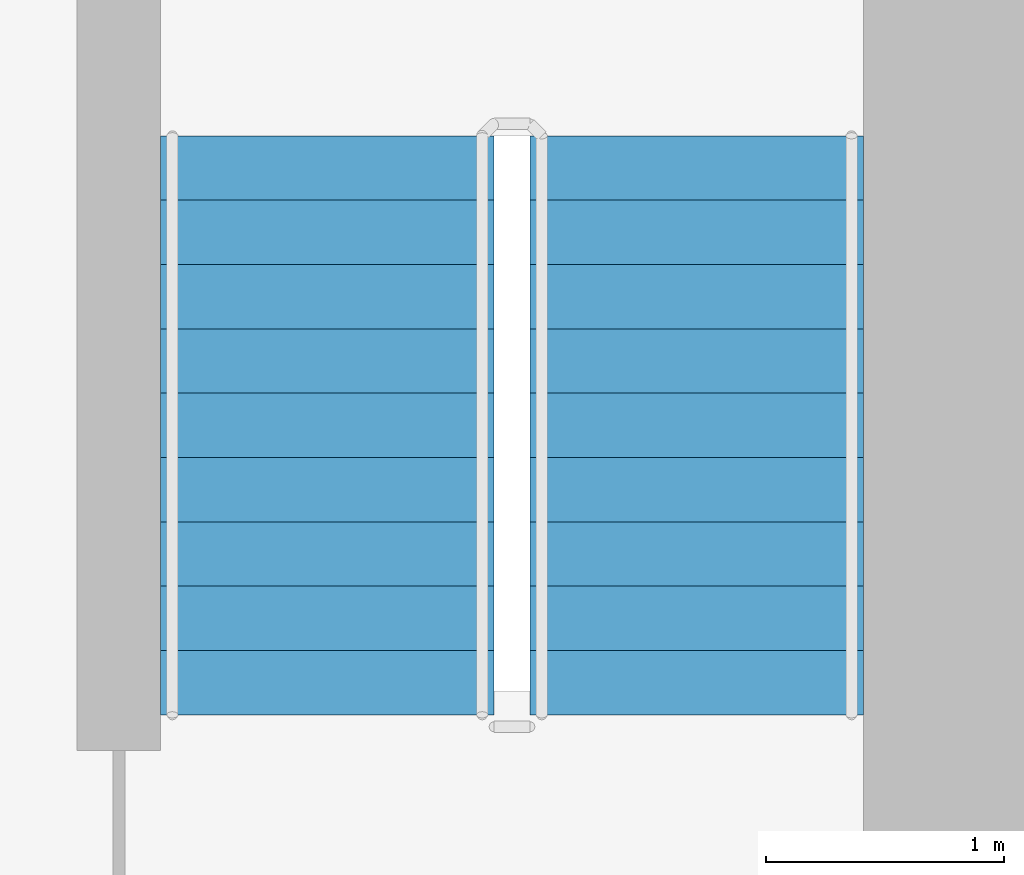
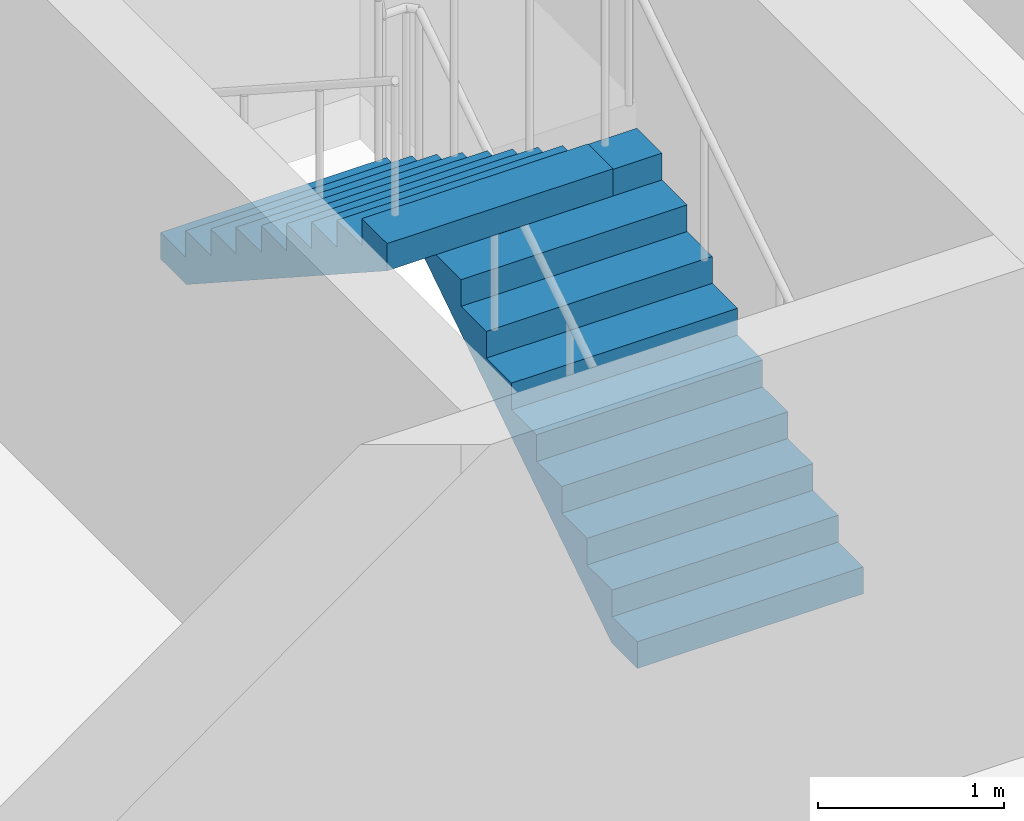
# One storey, part 13 of 17: 2 stair flights, 1 element without a shape of its own.
"""IFC4 building model written with IfcOpenShell, lengths in metres."""

from ifc_helpers import new_model, si_unit, direction, frame, origin, place, context, subcontext, project, spatial, polyline, outline, extrude, material, layer, layer_set, type_object, element, aggregate, save


model = new_model("IFC4")

# Units and contexts
model_context = context("Model", 3, precision=1e-05, world=origin(), true_north=direction((0.0, 1.0)))
body_context = subcontext(model_context, "Body", "Model", "MODEL_VIEW")
ifc_project = project(units=[si_unit("LENGTHUNIT", "METRE"), si_unit("AREAUNIT", "SQUARE_METRE"), si_unit("VOLUMEUNIT", "CUBIC_METRE"), si_unit("PLANEANGLEUNIT", "RADIAN"), si_unit("MASSUNIT", "GRAM", prefix="KILO")], contexts=[model_context])

# Site, building, storey
site_placement = place(None, origin())
site = spatial("IfcSite", under=ifc_project, at=site_placement, CompositionType="ELEMENT")
building_placement = place(site_placement, origin())
building = spatial("IfcBuilding", under=site, at=building_placement, Name="Saffron Iwan Residences", CompositionType="ELEMENT")
storey_placement = place(building_placement, frame((0.0, 0.0, 113.0)))
storey = spatial("IfcBuildingStorey", under=building, at=storey_placement, Name="L29", CompositionType="ELEMENT", Elevation=113.0)

# Stair, stair flights
ifc_material = material(Name="Concrete C50/60", Category="concrete")
stair_type = type_object("IfcStairType", Name="Stair ST-CORE", PredefinedType="HALF_TURN_STAIR", material=ifc_material)
stair_placement = place(storey_placement, origin())
stair = element("IfcStair", 1, at=stair_placement, inside=storey, type_object=stair_type, Name="L29 Exit Stair ST-E", PredefinedType="HALF_TURN_STAIR")
ifc_layer = layer(ifc_material, 0.14990234375)
ifc_layer_set = layer_set([ifc_layer], Name="Concrete C50/60")
stair_flight_type = type_object("IfcStairFlightType", Name="Stair flight SFL-RC", PredefinedType="STRAIGHT", material=ifc_layer_set)
stair_flight_1_placement = place(storey_placement, frame((70.39990234375, 67.85009765625, 0.0), z_axis=(0.0, 0.0, 1.0), x_axis=(0.0, 1.0, 0.0)))
stair_flight_1 = element("IfcStairFlight", 2, at=stair_flight_1_placement, type_object=stair_flight_type, Name="ST-E flight 1", NumberOfRisers=10, NumberOfTreads=9, PredefinedType="STRAIGHT", RiserHeight=0.175, TreadLength=0.27, context=body_context, shape_type="SweptSolid", body=[
    extrude(outline(polyline([(0.0, 0.0), (0.0, 0.175048828125), (0.27001953125, 0.175048828125), (0.27001953125, 0.35009765625), (0.5400390625, 0.35009765625), (0.5400390625, 0.52490234375), (0.81005859375, 0.52490234375), (0.81005859375, 0.699951171875), (1.080078125, 0.699951171875), (1.080078125, 0.875), (1.35009765625, 0.875), (1.35009765625, 1.050048828125), (1.6201171875, 1.050048828125), (1.6201171875, 1.22509765625), (1.889892578125, 1.22509765625), (1.889892578125, 1.39990234375), (2.159912109375, 1.39990234375), (2.159912109375, 1.574951171875), (2.429931640625, 1.574951171875), (2.429931640625, 1.75), (2.429931640625, 1.396484375), (0.275634765625, 0.0), (0.0, 0.0)])), frame((0.0, 0.699951171875, 0.0), z_axis=(0.0, -1.0, 0.0), x_axis=(1.0, 0.0, 0.0)), (0.0, 0.0, 1.0), 1.39990234375),
])
stair_flight_2_placement = place(storey_placement, frame((68.85009765625, 70.280029296875, 1.75), z_axis=(0.0, 0.0, 1.0), x_axis=(0.0, -1.0, 0.0)))
stair_flight_2 = element("IfcStairFlight", 3, at=stair_flight_2_placement, type_object=stair_flight_type, Name="ST-E flight 2", NumberOfRisers=10, NumberOfTreads=9, PredefinedType="STRAIGHT", RiserHeight=0.175, TreadLength=0.27, context=body_context, shape_type="SweptSolid", body=[
    extrude(outline(polyline([(0.0, 0.0), (0.0, 0.175048828125), (0.27001953125, 0.175048828125), (0.27001953125, 0.35009765625), (0.5400390625, 0.35009765625), (0.5400390625, 0.52490234375), (0.81005859375, 0.52490234375), (0.81005859375, 0.699951171875), (1.080078125, 0.699951171875), (1.080078125, 0.875), (1.35009765625, 0.875), (1.35009765625, 1.050048828125), (1.6201171875, 1.050048828125), (1.6201171875, 1.22509765625), (1.889892578125, 1.22509765625), (1.889892578125, 1.39990234375), (2.159912109375, 1.39990234375), (2.159912109375, 1.574951171875), (2.429931640625, 1.574951171875), (2.429931640625, 1.75), (2.429931640625, 1.396484375), (0.275634765625, 0.0), (0.0, 0.0)])), frame((0.0, 0.699951171875, 0.0), z_axis=(0.0, -1.0, 0.0), x_axis=(1.0, 0.0, 0.0)), (0.0, 0.0, 1.0), 1.39990234375),
])
aggregate(stair, [stair_flight_1, stair_flight_2])

save(model, "model.ifc")
